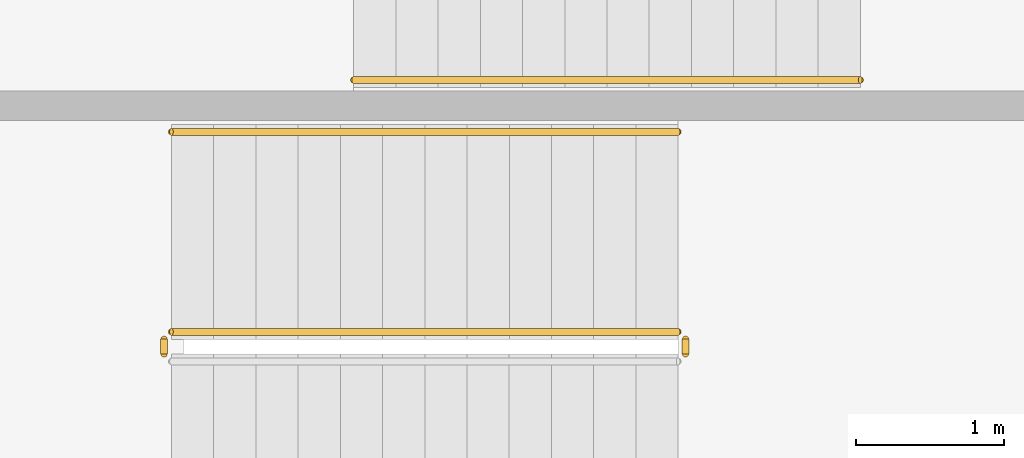
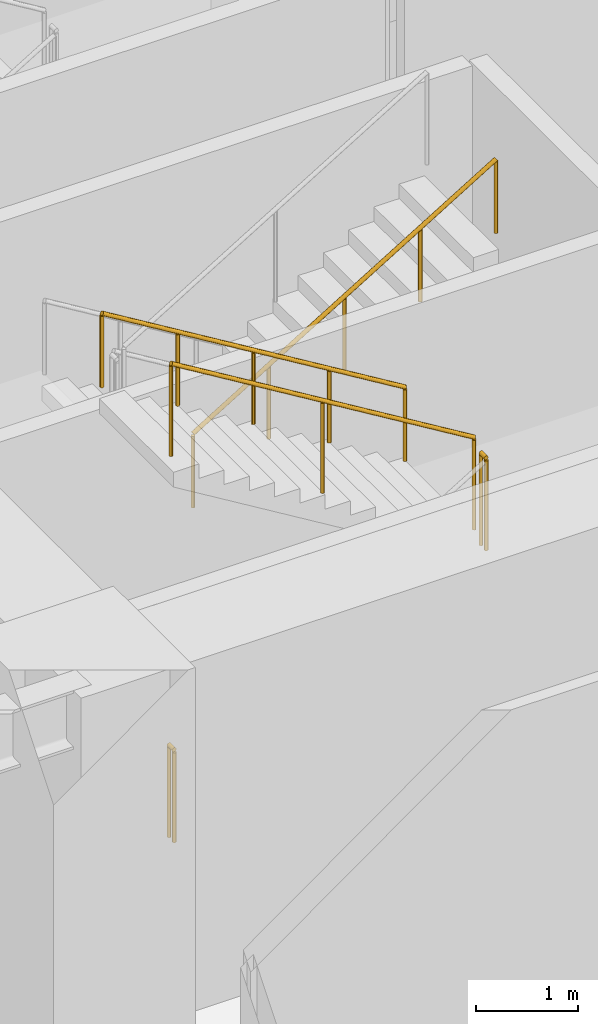
# One storey, part 27 of 32: 5 railings.
"""IFC4 building model written with IfcOpenShell, lengths in metres."""

from ifc_helpers import new_model, si_unit, direction, frame, origin, origin_2d, place, context, subcontext, project, spatial, circle, extrude, material, type_object, element, save


model = new_model("IFC4")

# Units and contexts
model_context = context("Model", 3, precision=1e-05, world=origin(), true_north=direction((0.0, 1.0)))
body_context = subcontext(model_context, "Body", "Model", "MODEL_VIEW")
ifc_project = project(units=[si_unit("LENGTHUNIT", "METRE"), si_unit("AREAUNIT", "SQUARE_METRE"), si_unit("VOLUMEUNIT", "CUBIC_METRE"), si_unit("PLANEANGLEUNIT", "RADIAN"), si_unit("MASSUNIT", "GRAM", prefix="KILO")], contexts=[model_context])

# Site, building, storey
site_placement = place(None, origin())
site = spatial("IfcSite", under=ifc_project, at=site_placement, CompositionType="ELEMENT")
building_placement = place(site_placement, origin())
building = spatial("IfcBuilding", under=site, at=building_placement, Name="Narakoshi Arena Tower", CompositionType="ELEMENT")
storey_placement = place(building_placement, frame((0.0, 0.0, 4.5)))
storey = spatial("IfcBuildingStorey", under=building, at=storey_placement, Name="L01", CompositionType="ELEMENT", Elevation=4.5)

# Railings
ifc_material_1 = material(Name="Clear low-iron laminated structural glass", Category="glass")
railing_type_1 = type_object("IfcRailingType", Name="RL-BAL-1100", PredefinedType="BALUSTRADE", material=ifc_material_1)
railing_1_placement = place(storey_placement, frame((77.8701171875, 37.0, 2.25)))
element("IfcRailing", 1, at=railing_1_placement, inside=storey, type_object=railing_type_1, Name="L01 ST1 stair guard 2", PredefinedType="BALUSTRADE", context=body_context, shape_type="SweptSolid", body=[
    extrude(circle(Radius=0.02392578125, at=origin_2d()), frame((0.0, 0.0, 1.09619140625), z_axis=(0.0, 1.0, 0.0), x_axis=(-1.0, 0.0, 0.0)), (0.0, 0.0, 1.0), 0.10009765625),
    extrude(circle(Radius=0.02099609375, at=origin_2d()), origin(), (0.0, 0.0, 1.0), 1.072021484375),
    extrude(circle(Radius=0.02099609375, at=origin_2d()), frame((0.0, 0.10009765625, 0.0)), (0.0, 0.0, 1.0), 1.072021484375),
])
railing_2_placement = place(storey_placement, frame((77.820068359375, 37.14990234375, 2.423095703125)))
element("IfcRailing", 2, at=railing_2_placement, inside=storey, type_object=railing_type_1, Name="L01 ST1 stair guard 3", PredefinedType="BALUSTRADE", context=body_context, shape_type="SweptSolid", body=[
    extrude(circle(Radius=0.02392578125, at=origin_2d()), frame((0.0, 0.0, 1.09619140625), z_axis=(-0.854745945586, 0.0, 0.519046595696), x_axis=(0.0, -1.0, 0.0)), (0.0, 0.0, 1.0), 4.00146484375),
    extrude(circle(Radius=0.02099609375, at=origin_2d()), origin(), (0.0, 0.0, 1.0), 1.072021484375),
    extrude(circle(Radius=0.02099609375, at=origin_2d()), frame((-1.7099609375, 0.0, 1.03857421875)), (0.0, 0.0, 1.0), 1.072021484375),
    extrude(circle(Radius=0.02099609375, at=origin_2d()), frame((-3.420166015625, 0.0, 2.076904296875)), (0.0, 0.0, 1.0), 1.072021484375),
])
railing_3_placement = place(storey_placement, frame((74.35009765625, 37.0, 0.0)))
element("IfcRailing", 3, at=railing_3_placement, inside=storey, type_object=railing_type_1, Name="L01 ST1 stair guard 4", PredefinedType="BALUSTRADE", context=body_context, shape_type="SweptSolid", body=[
    extrude(circle(Radius=0.02392578125, at=origin_2d()), frame((0.0, 0.0, 1.09619140625), z_axis=(0.0, 1.0, 0.0), x_axis=(-1.0, 0.0, 0.0)), (0.0, 0.0, 1.0), 0.10009765625),
    extrude(circle(Radius=0.02099609375, at=origin_2d()), origin(), (0.0, 0.0, 1.0), 1.072021484375),
    extrude(circle(Radius=0.02099609375, at=origin_2d()), frame((0.0, 0.10009765625, 0.0)), (0.0, 0.0, 1.0), 1.072021484375),
])
ifc_material_2 = material(Name="Brushed bronze stainless steel", Category="steel")
railing_type_2 = type_object("IfcRailingType", Name="RL-HND-900", PredefinedType="HANDRAIL", material=ifc_material_2)
railing_4_placement = place(storey_placement, frame((77.820068359375, 38.5, 2.423095703125)))
element("IfcRailing", 4, at=railing_4_placement, inside=storey, type_object=railing_type_2, Name="L01 ST1 stair handrail 2", PredefinedType="HANDRAIL", context=body_context, shape_type="SweptSolid", body=[
    extrude(circle(Radius=0.02392578125, at=origin_2d()), frame((0.0, 0.0, 0.8759765625), z_axis=(-0.854745945586, 0.0, 0.519046595696), x_axis=(0.0, -1.0, 0.0)), (0.0, 0.0, 1.0), 4.00146484375),
    extrude(circle(Radius=0.02099609375, at=origin_2d()), origin(), (0.0, 0.0, 1.0), 0.851806640625),
    extrude(circle(Radius=0.02099609375, at=origin_2d()), frame((-0.85498046875, 0.0, 0.519287109375)), (0.0, 0.0, 1.0), 0.851806640625),
    extrude(circle(Radius=0.02099609375, at=origin_2d()), frame((-1.7099609375, 0.0, 1.03857421875)), (0.0, 0.0, 1.0), 0.851806640625),
    extrude(circle(Radius=0.02099609375, at=origin_2d()), frame((-2.565185546875, 0.0, 1.5576171875)), (0.0, 0.0, 1.0), 0.851806640625),
    extrude(circle(Radius=0.02099609375, at=origin_2d()), frame((-3.420166015625, 0.0, 2.076904296875)), (0.0, 0.0, 1.0), 0.851806640625),
])
railing_5_placement = place(storey_placement, frame((75.6298828125, 38.85009765625, 2.423095703125)))
element("IfcRailing", 5, at=railing_5_placement, inside=storey, type_object=railing_type_2, Name="L01 ST2 stair handrail 2", PredefinedType="HANDRAIL", context=body_context, shape_type="SweptSolid", body=[
    extrude(circle(Radius=0.02392578125, at=origin_2d()), frame((0.0, 0.0, 0.8759765625), z_axis=(0.854745945586, 0.0, 0.519046595696), x_axis=(0.0, 1.0, 0.0)), (0.0, 0.0, 1.0), 4.00146484375),
    extrude(circle(Radius=0.02099609375, at=origin_2d()), origin(), (0.0, 0.0, 1.0), 0.851806640625),
    extrude(circle(Radius=0.02099609375, at=origin_2d()), frame((0.85498046875, 0.0, 0.519287109375)), (0.0, 0.0, 1.0), 0.851806640625),
    extrude(circle(Radius=0.02099609375, at=origin_2d()), frame((1.7099609375, 0.0, 1.03857421875)), (0.0, 0.0, 1.0), 0.851806640625),
    extrude(circle(Radius=0.02099609375, at=origin_2d()), frame((2.565185546875, 0.0, 1.5576171875)), (0.0, 0.0, 1.0), 0.851806640625),
    extrude(circle(Radius=0.02099609375, at=origin_2d()), frame((3.420166015625, 0.0, 2.076904296875)), (0.0, 0.0, 1.0), 0.851806640625),
])

save(model, "model.ifc")
